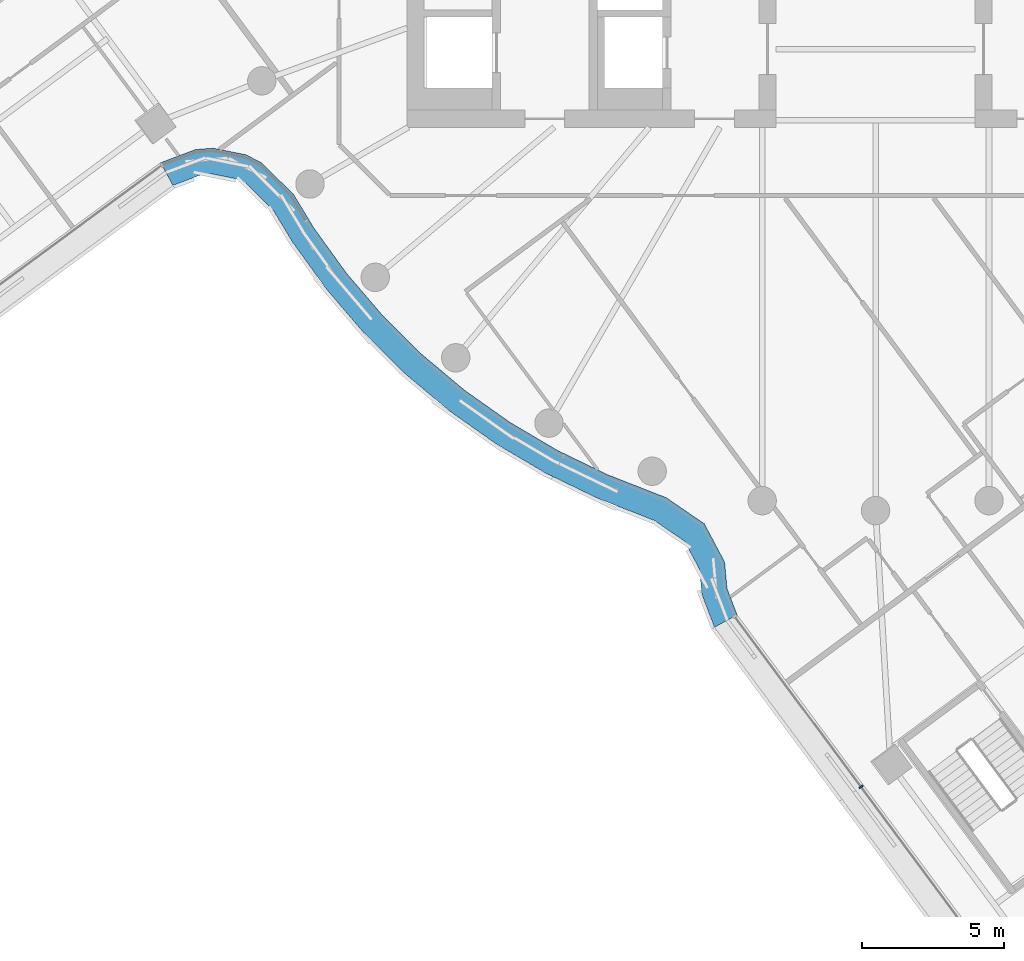
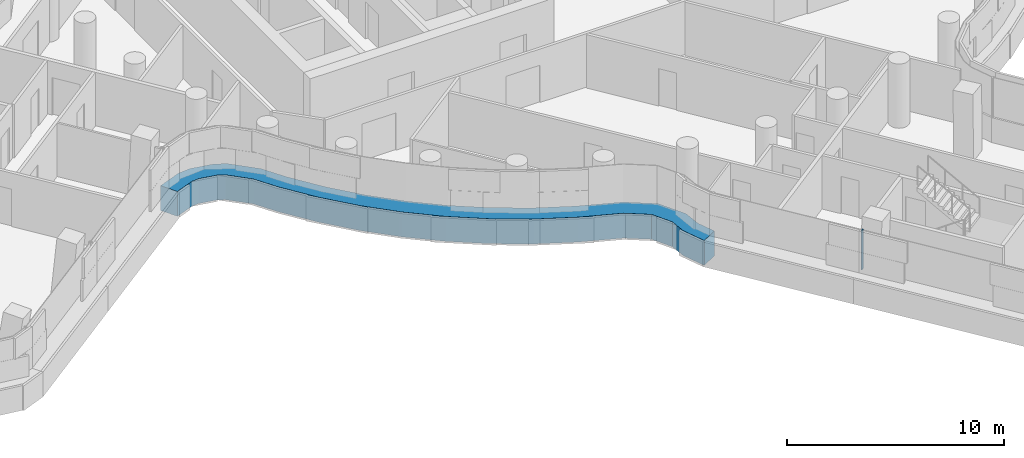
# One storey, part 3 of 32: 2 members, 2 elements without a shape of their own.
"""IFC4 building model written with IfcOpenShell, lengths in metres."""

from ifc_helpers import new_model, si_unit, direction, frame, origin, origin_2d, place, context, subcontext, project, spatial, polyline, rectangle, outline, extrude, material, layer, layer_set, material_profile, profile_set, type_object, element, aggregate, save


model = new_model("IFC4")

# Units and contexts
model_context = context("Model", 3, precision=1e-05, world=origin(), true_north=direction((0.0, 1.0)))
body_context = subcontext(model_context, "Body", "Model", "MODEL_VIEW")
ifc_project = project(units=[si_unit("LENGTHUNIT", "METRE"), si_unit("AREAUNIT", "SQUARE_METRE"), si_unit("VOLUMEUNIT", "CUBIC_METRE"), si_unit("PLANEANGLEUNIT", "RADIAN"), si_unit("MASSUNIT", "GRAM", prefix="KILO")], contexts=[model_context])

# Site, building, storey
site_placement = place(None, origin())
site = spatial("IfcSite", under=ifc_project, at=site_placement, CompositionType="ELEMENT")
building_placement = place(site_placement, origin())
building = spatial("IfcBuilding", under=site, at=building_placement, Name="Tamarind Cross Interchange Tower", CompositionType="ELEMENT")
storey_placement = place(building_placement, frame((0.0, 0.0, 166.75)))
storey = spatial("IfcBuildingStorey", under=building, at=storey_placement, Name="L41", CompositionType="ELEMENT", Elevation=166.75)

# Curtain wall, member
ifc_material_1 = material(Name="Aluminium 6063-T6", Category="aluminium")
ifc_layer = layer(ifc_material_1, 0.159912109375)
ifc_layer_set = layer_set([ifc_layer], Name="Aluminium 6063-T6")
curtain_wall_type = type_object("IfcCurtainWallType", Name="Office curtain wall, 9.0 m bays", PredefinedType="NOTDEFINED", material=ifc_layer_set)
curtain_wall_1_placement = place(storey_placement, origin())
curtain_wall_1 = element("IfcCurtainWall", 1, at=curtain_wall_1_placement, inside=storey, type_object=curtain_wall_type, Name="CWS-L41-10", PredefinedType="NOTDEFINED")
ifc_material_2 = material(Name="Aluminium and insulated spandrel panel", Category="aluminium")
member_type_1 = type_object("IfcMemberType", Name="Floor-edge blade transom", PredefinedType="USERDEFINED", material=ifc_material_2)
member_1_placement = place(storey_placement, origin())
member_1 = element("IfcMember", 2, at=member_1_placement, type_object=member_type_1, Name="CWT-L41-10", ObjectType="TRANSOM", PredefinedType="USERDEFINED", context=body_context, shape_type="SweptSolid", body=[
    extrude(outline(polyline([(-25.17919921875, -10.748291015625), (-23.94921875, -10.285888671875), (-23.328125, -10.235595703125), (-22.177490234375, -10.4658203125), (-21.619873046875, -10.75341796875), (-20.49169921875, -11.8701171875), (-19.781494140625, -13.04541015625), (-18.636474609375, -14.634521484375), (-17.3642578125, -16.12353515625), (-15.973388671875, -17.50244140625), (-14.4736328125, -18.76171875), (-12.874755859375, -19.892822265625), (-11.188232421875, -20.88818359375), (-9.42431640625, -21.740966796875), (-7.370849609375, -22.545654296875), (-6.033447265625, -23.460693359375), (-5.31689453125, -24.809326171875), (-5.232177734375, -25.73974609375), (-4.876220703125, -26.67236328125), (-5.6728515625, -27.109130859375), (-6.1171875, -25.94482421875), (-6.19677734375, -25.071533203125), (-6.724365234375, -24.078369140625), (-7.79443359375, -23.34619140625), (-9.784912109375, -22.56640625), (-11.613525390625, -21.68212890625), (-13.3642578125, -20.64892578125), (-15.023681640625, -19.474853515625), (-16.580810546875, -18.167724609375), (-18.0244140625, -16.736572265625), (-19.344970703125, -15.19091796875), (-20.532958984375, -13.5419921875), (-21.204345703125, -12.431396484375), (-22.155029296875, -11.489990234375), (-22.477783203125, -11.323486328125), (-23.380859375, -11.142822265625), (-23.750732421875, -11.1728515625), (-24.745361328125, -11.546875), (-25.17919921875, -10.748291015625)])), origin(), (0.0, 0.0, 1.0), 1.39990234375),
])
aggregate(curtain_wall_1, [member_1])

curtain_wall_2_placement = place(storey_placement, origin())
curtain_wall_2 = element("IfcCurtainWall", 3, at=curtain_wall_2_placement, inside=storey, type_object=curtain_wall_type, Name="CWS-L41-11", PredefinedType="NOTDEFINED")
ifc_material_profile = material_profile(ifc_material_1, rectangle(XDim=0.06005859375, YDim=0.159912109375, at=origin_2d()), Name="Mullion CW1")
ifc_profile_set = profile_set([ifc_material_profile], Name="Aluminium 6063-T6")
member_type_2 = type_object("IfcMemberType", Name="Mullion CW1", PredefinedType="MULLION", material=ifc_profile_set)
member_2_placement = place(storey_placement, frame((-0.510009765625, -32.72607421875, 1.39990234375), z_axis=(0.0, 0.0, 1.0), x_axis=(0.595776404136, -0.803150344752, 0.0)))
member_2 = element("IfcMember", 4, at=member_2_placement, type_object=member_type_2, Name="CWM-L41-11-01", PredefinedType="MULLION", context=body_context, shape_type="SweptSolid", body=[
    extrude(rectangle(XDim=0.06005859375, YDim=0.159912109375, at=origin_2d()), origin(), (0.0, 0.0, 1.0), 2.210205078125),
])
aggregate(curtain_wall_2, [member_2])

save(model, "model.ifc")
